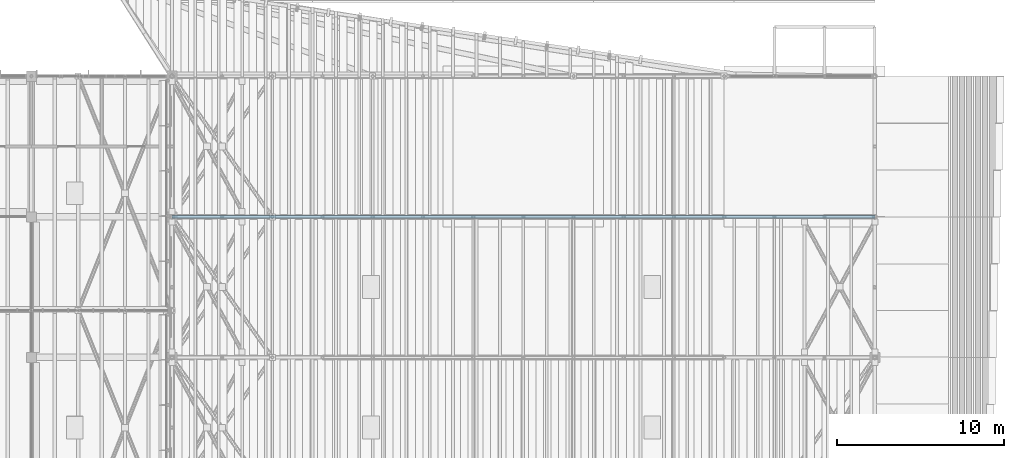
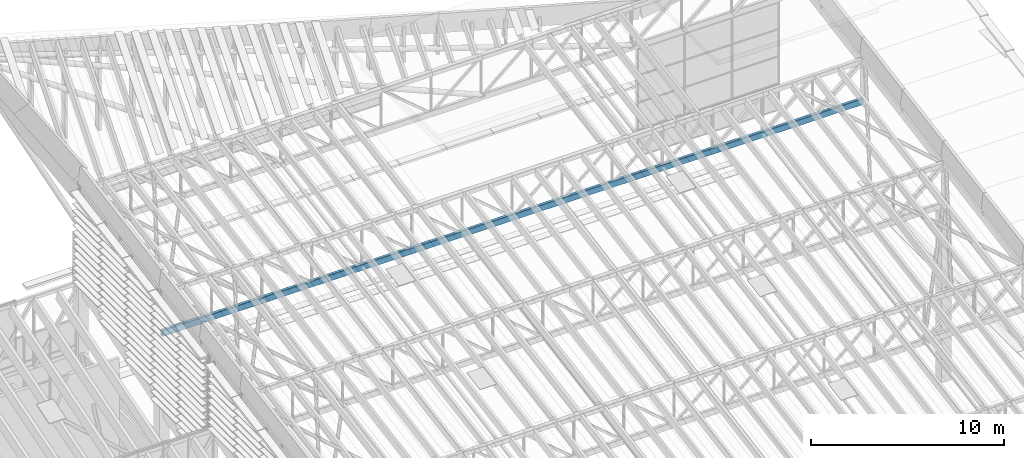
# One storey, part 41 of 91: 1 member.
"""IFC4 building model written with IfcOpenShell, lengths in metres."""

from ifc_helpers import new_model, si_unit, direction, frame, origin, origin_2d, place, context, subcontext, project, spatial, hollow_rectangle, extrude, material, material_profile, profile_set, type_object, element, save


model = new_model("IFC4")

# Units and contexts
model_context = context("Model", 3, precision=1e-05, world=origin(), true_north=direction((0.0, 1.0)))
body_context = subcontext(model_context, "Body", "Model", "MODEL_VIEW")
ifc_project = project(units=[si_unit("LENGTHUNIT", "METRE"), si_unit("AREAUNIT", "SQUARE_METRE"), si_unit("VOLUMEUNIT", "CUBIC_METRE"), si_unit("PLANEANGLEUNIT", "RADIAN"), si_unit("MASSUNIT", "GRAM", prefix="KILO")], contexts=[model_context])

# Site, building, storey
site_placement = place(None, origin())
site = spatial("IfcSite", under=ifc_project, at=site_placement, CompositionType="ELEMENT")
building_placement = place(site_placement, origin())
building = spatial("IfcBuilding", under=site, at=building_placement, Name="Almond Square Museum", CompositionType="ELEMENT")
storey_placement = place(building_placement, frame((0.0, 0.0, 30.0)))
storey = spatial("IfcBuildingStorey", under=building, at=storey_placement, Name="L05", CompositionType="ELEMENT", Elevation=30.0)

# Member
ifc_material = material(Name="Structural steel S355", Category="steel")
ifc_material_profile = material_profile(ifc_material, hollow_rectangle(XDim=0.199951171875, YDim=0.39990234375, WallThickness=0.012451171875, InnerFilletRadius=0.02490234375, OuterFilletRadius=0.03759765625, at=origin_2d()))
ifc_profile_set = profile_set([ifc_material_profile], Name="Structural steel S355")
member_type = type_object("IfcMemberType", Name="Truss chord RHS 400x200x12.5", PredefinedType="CHORD", material=ifc_profile_set)
member_placement = place(storey_placement, frame((106.800048828125, 100.800048828125, 12.52001953125), z_axis=(1.0, 0.0, 0.0), x_axis=(0.0, 1.0, 0.0)))
element("IfcMember", 1, at=member_placement, inside=storey, type_object=member_type, Name="TR-07 bottom chord 1 to 14", PredefinedType="CHORD", context=body_context, shape_type="SweptSolid", body=[
    extrude(hollow_rectangle(XDim=0.199951171875, YDim=0.39990234375, WallThickness=0.012451171875, InnerFilletRadius=0.02490234375, OuterFilletRadius=0.03759765625, at=origin_2d()), origin(), (0.0, 0.0, 1.0), 42.0),
])

save(model, "model.ifc")
